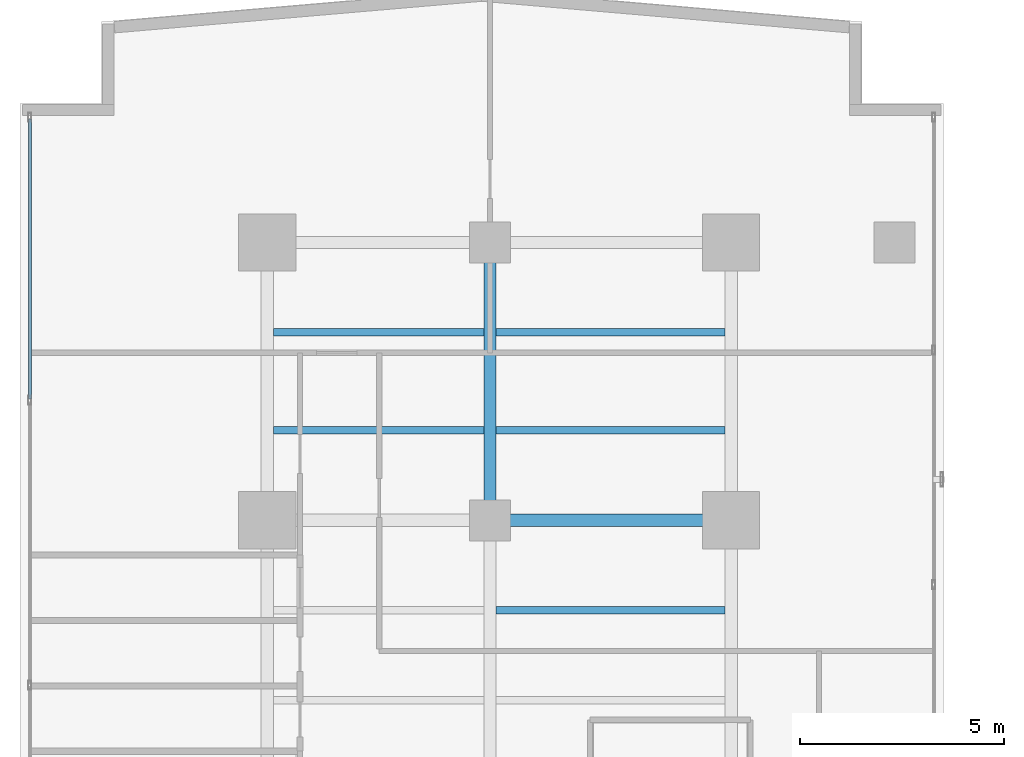
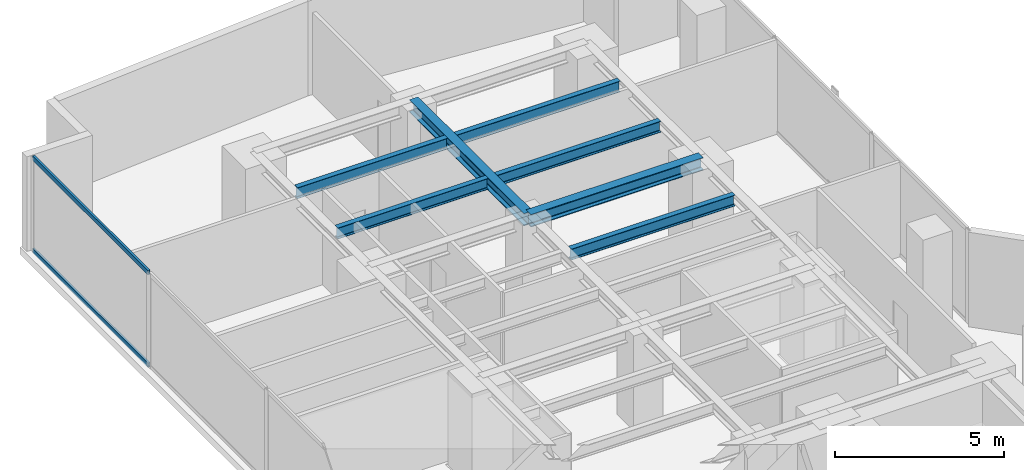
# One storey, part 15 of 25: 7 beams, 2 members, 1 element without a shape of its own.
"""IFC4 building model written with IfcOpenShell, lengths in metres."""

from ifc_helpers import new_model, si_unit, direction, frame, origin, origin_with_axes, origin_2d, place, context, subcontext, project, spatial, hollow_rectangle, i_section, extrude, source, transform, mapped, material, layer, layer_set, material_profile, profile_set, type_object, element, aggregate, save


model = new_model("IFC4")

# Units and contexts
model_context = context("Model", 3, precision=1e-05, world=origin(), true_north=direction((0.0, 1.0)))
body_context = subcontext(model_context, "Body", "Model", "MODEL_VIEW")
ifc_project = project(units=[si_unit("LENGTHUNIT", "METRE"), si_unit("AREAUNIT", "SQUARE_METRE"), si_unit("VOLUMEUNIT", "CUBIC_METRE"), si_unit("PLANEANGLEUNIT", "RADIAN"), si_unit("MASSUNIT", "GRAM", prefix="KILO")], contexts=[model_context])

# Site, building, storey
site_placement = place(None, origin())
site = spatial("IfcSite", under=ifc_project, at=site_placement, CompositionType="ELEMENT")
building_placement = place(site_placement, origin())
building = spatial("IfcBuilding", under=site, at=building_placement, Name="Kolvaren Waterfront Exchange", CompositionType="ELEMENT")
storey_placement = place(building_placement, frame((0.0, 0.0, 137.300048828125)))
storey = spatial("IfcBuildingStorey", under=building, at=storey_placement, Name="L35", CompositionType="ELEMENT", Elevation=137.300048828125)

# Beams
ifc_material_1 = material(Name="Steel S355", Category="steel")
ifc_material_profile_1 = material_profile(ifc_material_1, i_section(OverallWidth=0.300048828125, OverallDepth=0.449951171875, WebThickness=0.013916015625, FlangeThickness=0.02587890625, FilletRadius=0.027099609375, at=origin_2d()), Name="HEB450")
ifc_profile_set_1 = profile_set([ifc_material_profile_1], Name="Steel S355")
beam_type_1 = type_object("IfcBeamType", Name="STR-BM-HEB450", PredefinedType="BEAM", material=ifc_profile_set_1)
beam_1_placement = place(storey_placement, frame((12.89990234375, 37.800048828125, 3.195068359375), z_axis=(1.0, 0.0, 0.0), x_axis=(0.0, 1.0, 0.0)))
element("IfcBeam", 1, at=beam_1_placement, inside=storey, type_object=beam_type_1, Name="L35 north-arm girder 3B", PredefinedType="BEAM", context=body_context, shape_type="SweptSolid", body=[
    extrude(i_section(OverallWidth=0.300048828125, OverallDepth=0.449951171875, WebThickness=0.013916015625, FlangeThickness=0.02587890625, FilletRadius=0.027099609375, at=origin_2d()), origin(), (0.0, 0.0, 1.0), 5.900146484375),
])
beam_2_placement = place(storey_placement, frame((12.89990234375, 37.800048828125, 3.195068359375), z_axis=(0.0, 1.0, 0.0), x_axis=(-1.0, 0.0, 0.0)))
element("IfcBeam", 2, at=beam_2_placement, inside=storey, type_object=beam_type_1, Name="L35 north-arm edge beam 3", PredefinedType="BEAM", context=body_context, shape_type="SweptSolid", body=[
    extrude(i_section(OverallWidth=0.300048828125, OverallDepth=0.449951171875, WebThickness=0.013916015625, FlangeThickness=0.02587890625, FilletRadius=0.027099609375, at=origin_2d()), origin(), (0.0, 0.0, 1.0), 6.800048828125),
])
ifc_material_profile_2 = material_profile(ifc_material_1, i_section(OverallWidth=0.179931640625, OverallDepth=0.39990234375, WebThickness=0.008544921875, FlangeThickness=0.013427734375, FilletRadius=0.02099609375, at=origin_2d()), Name="IPE400")
ifc_profile_set_2 = profile_set([ifc_material_profile_2], Name="Steel S355")
beam_type_2 = type_object("IfcBeamType", Name="STR-BM-IPE400", PredefinedType="JOIST", material=ifc_profile_set_2)
beam_3_placement = place(storey_placement, frame((13.052001953125, 35.60009765625, 3.219970703125), z_axis=(1.0, 0.0, 0.0), x_axis=(0.0, 1.0, 0.0)))
element("IfcBeam", 3, at=beam_3_placement, inside=storey, type_object=beam_type_2, Name="L35 north-arm composite joist 4B", PredefinedType="JOIST", context=body_context, shape_type="SweptSolid", body=[
    extrude(i_section(OverallWidth=0.179931640625, OverallDepth=0.39990234375, WebThickness=0.008544921875, FlangeThickness=0.013427734375, FilletRadius=0.02099609375, at=origin_2d()), origin(), (0.0, 0.0, 1.0), 5.595947265625),
])
beam_4_placement = place(storey_placement, frame((7.60205078125, 40.0, 3.219970703125), z_axis=(1.0, 0.0, 0.0), x_axis=(0.0, 1.0, 0.0)))
element("IfcBeam", 4, at=beam_4_placement, inside=storey, type_object=beam_type_2, Name="L35 north-arm composite joist 5A", PredefinedType="JOIST", context=body_context, shape_type="SweptSolid", body=[
    extrude(i_section(OverallWidth=0.179931640625, OverallDepth=0.39990234375, WebThickness=0.008544921875, FlangeThickness=0.013427734375, FilletRadius=0.02099609375, at=origin_2d()), origin(), (0.0, 0.0, 1.0), 5.14599609375),
])
beam_5_placement = place(storey_placement, frame((13.052001953125, 40.0, 3.219970703125), z_axis=(1.0, 0.0, 0.0), x_axis=(0.0, 1.0, 0.0)))
element("IfcBeam", 5, at=beam_5_placement, inside=storey, type_object=beam_type_2, Name="L35 north-arm composite joist 5B", PredefinedType="JOIST", context=body_context, shape_type="SweptSolid", body=[
    extrude(i_section(OverallWidth=0.179931640625, OverallDepth=0.39990234375, WebThickness=0.008544921875, FlangeThickness=0.013427734375, FilletRadius=0.02099609375, at=origin_2d()), origin(), (0.0, 0.0, 1.0), 5.595947265625),
])
beam_6_placement = place(storey_placement, frame((7.60205078125, 42.39990234375, 3.219970703125), z_axis=(1.0, 0.0, 0.0), x_axis=(0.0, 1.0, 0.0)))
element("IfcBeam", 6, at=beam_6_placement, inside=storey, type_object=beam_type_2, Name="L35 north-arm composite joist 6A", PredefinedType="JOIST", context=body_context, shape_type="SweptSolid", body=[
    extrude(i_section(OverallWidth=0.179931640625, OverallDepth=0.39990234375, WebThickness=0.008544921875, FlangeThickness=0.013427734375, FilletRadius=0.02099609375, at=origin_2d()), origin(), (0.0, 0.0, 1.0), 5.14599609375),
])
beam_7_placement = place(storey_placement, frame((13.052001953125, 42.39990234375, 3.219970703125), z_axis=(1.0, 0.0, 0.0), x_axis=(0.0, 1.0, 0.0)))
element("IfcBeam", 7, at=beam_7_placement, inside=storey, type_object=beam_type_2, Name="L35 north-arm composite joist 6B", PredefinedType="JOIST", context=body_context, shape_type="SweptSolid", body=[
    extrude(i_section(OverallWidth=0.179931640625, OverallDepth=0.39990234375, WebThickness=0.008544921875, FlangeThickness=0.013427734375, FilletRadius=0.02099609375, at=origin_2d()), origin(), (0.0, 0.0, 1.0), 5.595947265625),
])

# Curtain wall, members
ifc_material_2 = material(Name="Anodised aluminium 6063-T6", Category="aluminium")
ifc_layer = layer(ifc_material_2, 0.219970703125, Name="Anodised aluminium 6063-T6")
ifc_layer_set = layer_set([ifc_layer], Name="Anodised aluminium 6063-T6")
curtain_wall_type = type_object("IfcCurtainWallType", Name="ARC-CW-SYS2", PredefinedType="USERDEFINED", material=ifc_layer_set)
curtain_wall_placement = place(storey_placement, origin())
curtain_wall = element("IfcCurtainWall", 8, at=curtain_wall_placement, inside=storey, type_object=curtain_wall_type, Name="L35 stick curtain wall CW2 (CW-L35-W)", ObjectType="STICK CURTAIN WALL", PredefinedType="USERDEFINED")
ifc_material_profile_3 = material_profile(ifc_material_2, hollow_rectangle(XDim=0.074951171875, YDim=0.159912109375, WallThickness=0.00439453125, at=origin_2d()), Name="ALU-TRN-160x75x4.5")
ifc_profile_set_3 = profile_set([ifc_material_profile_3], Name="Anodised aluminium 6063-T6")
member_type = type_object("IfcMemberType", Name="ARC-CWT-160", PredefinedType="USERDEFINED", material=ifc_profile_set_3)
shared_shape = source(origin_with_axes(), body_context, "Body", "SweptSolid", [
    extrude(hollow_rectangle(XDim=0.074951171875, YDim=0.159912109375, WallThickness=0.00439453125, at=origin_2d()), origin(), (0.0, 0.0, 1.0), 6.8466796875),
])
member_1_placement = place(storey_placement, frame((1.639892578125, 40.7734375, 0.037353515625), z_axis=(0.0, 1.0, 0.0), x_axis=(-1.0, 0.0, 0.0)))
member_1 = element("IfcMember", 9, at=member_1_placement, type_object=member_type, Name="CW2 transom 6.1", ObjectType="TRANSOM", PredefinedType="USERDEFINED", context=body_context, shape_type="MappedRepresentation", body=[
    mapped(shared_shape, transform((0.0, 0.0, 0.0), x_axis=(1.0, 0.0, 0.0), y_axis=(0.0, 1.0, 0.0), z_axis=(0.0, 0.0, 1.0), scale=1.0)),
])
member_2_placement = place(storey_placement, frame((1.639892578125, 40.7734375, 3.382568359375), z_axis=(0.0, 1.0, 0.0), x_axis=(-1.0, 0.0, 0.0)))
member_2 = element("IfcMember", 10, at=member_2_placement, type_object=member_type, Name="CW2 transom 6.2", ObjectType="TRANSOM", PredefinedType="USERDEFINED", context=body_context, shape_type="MappedRepresentation", body=[
    mapped(shared_shape, transform((0.0, 0.0, 0.0), x_axis=(1.0, 0.0, 0.0), y_axis=(0.0, 1.0, 0.0), z_axis=(0.0, 0.0, 1.0), scale=1.0)),
])
aggregate(curtain_wall, [member_1, member_2])

save(model, "model.ifc")
